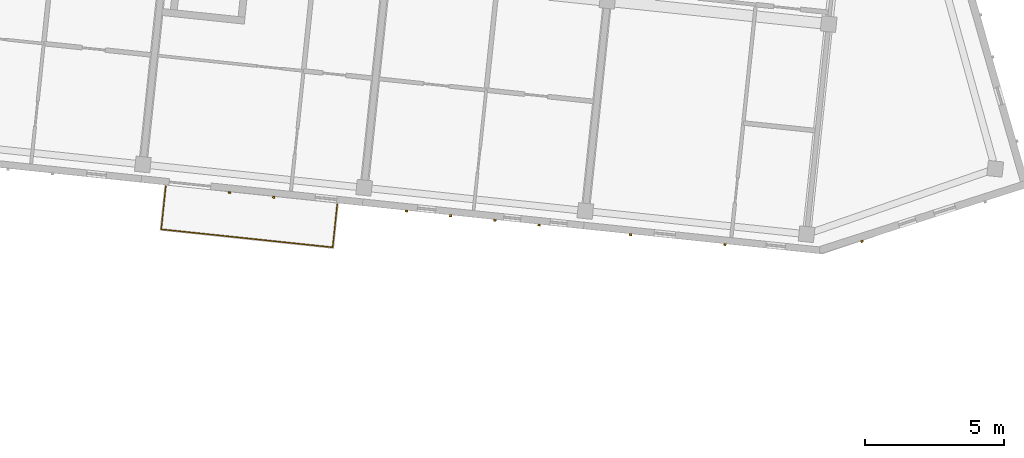
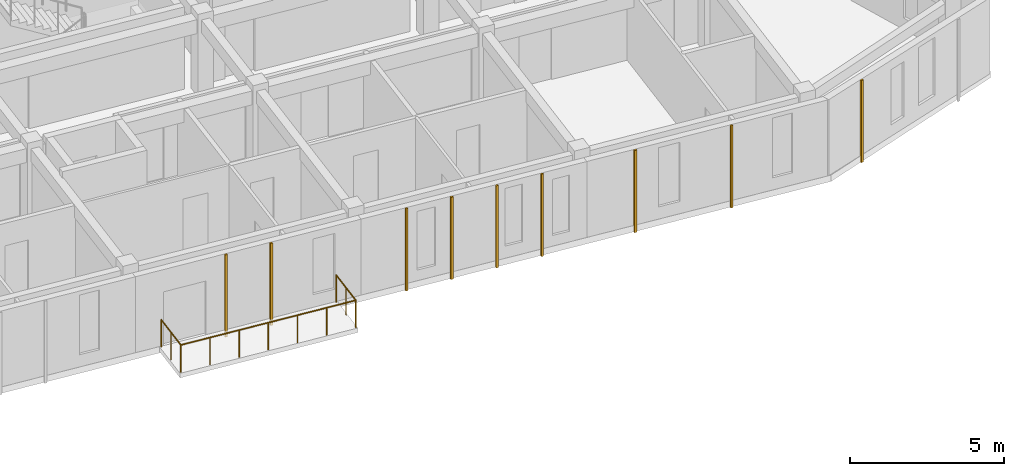
# One storey, part 65 of 68: 9 coverings, 1 railing.
"""IFC4 building model written with IfcOpenShell, lengths in metres."""

from ifc_helpers import new_model, si_unit, direction, frame, origin, origin_2d, place, context, subcontext, project, spatial, rectangle, circle, extrude, material, layer, layer_set, type_object, element, save


model = new_model("IFC4")

# Units and contexts
model_context = context("Model", 3, precision=1e-05, world=origin(), true_north=direction((0.0, 1.0)))
body_context = subcontext(model_context, "Body", "Model", "MODEL_VIEW")
ifc_project = project(units=[si_unit("LENGTHUNIT", "METRE"), si_unit("AREAUNIT", "SQUARE_METRE"), si_unit("VOLUMEUNIT", "CUBIC_METRE"), si_unit("PLANEANGLEUNIT", "RADIAN"), si_unit("MASSUNIT", "GRAM", prefix="KILO")], contexts=[model_context])

# Site, building, storey
site_placement = place(None, origin())
site = spatial("IfcSite", under=ifc_project, at=site_placement, CompositionType="ELEMENT")
building_placement = place(site_placement, origin())
building = spatial("IfcBuilding", under=site, at=building_placement, Name="Kestramere Prow Commons", CompositionType="ELEMENT")
storey_placement = place(building_placement, frame((0.0, 0.0, 18.14990234375)))
storey = spatial("IfcBuildingStorey", under=building, at=storey_placement, Name="L05", CompositionType="ELEMENT", Elevation=18.14990234375)

# Coverings
ifc_material_1 = material(Name="Weathered Zinc-Titanium Standing-Seam Cladding")
ifc_layer = layer(ifc_material_1, 0.074951171875)
ifc_layer_set = layer_set([ifc_layer], Name="Weathered Zinc-Titanium Standing-Seam Cladding")
covering_type = type_object("IfcCoveringType", Name="COV-CLAD-SEAM", PredefinedType="CLADDING", material=ifc_layer_set)
for number, where, z_axis, x_axis, name in (
    (1, (138.5712890625, 91.11572265625, -0.25), (0.0, 0.0, 1.0), (-0.994521895368, 0.104528463268, 0.0), "EW-B-L05-S-3 Standing-Seam Rib 2"),
    (2, (136.980224609375, 91.282958984375, -0.25), (0.0, 0.0, 1.0), (-0.994521895368, 0.104528463268, 0.0), "EW-B-L05-S-3 Standing-Seam Rib 3"),
    (3, (148.118896484375, 90.1123046875, -0.25), (0.0, 0.0, 1.0), (-0.994521895368, 0.104528463268, 0.0), "EW-B-L05-S-4 Standing-Seam Rib 1"),
    (4, (146.527587890625, 90.279541015625, -0.25), (0.0, 0.0, 1.0), (-0.994521895368, 0.104528463268, 0.0), "EW-B-L05-S-4 Standing-Seam Rib 2"),
    (5, (144.936279296875, 90.44677734375, -0.25), (0.0, 0.0, 1.0), (-0.994521895368, 0.104528463268, 0.0), "EW-B-L05-S-4 Standing-Seam Rib 3"),
    (6, (143.34521484375, 90.614013671875, -0.25), (0.0, 0.0, 1.0), (-0.994521895368, 0.104528463268, 0.0), "EW-B-L05-S-4 Standing-Seam Rib 4"),
    (7, (154.797119140625, 89.410400390625, -0.25), (0.0, 0.0, 1.0), (-0.994521895368, 0.104528463268, 0.0), "EW-B-L05-S-5 Standing-Seam Rib 2"),
    (8, (151.40576171875, 89.766845703125, -0.25), (0.0, 0.0, 1.0), (-0.994521895368, 0.104528463268, 0.0), "EW-B-L05-S-5 Standing-Seam Rib 4"),
    (9, (159.73046875, 89.524169921875, -0.25), (0.0, 0.0, 1.0), (-0.952283464374, -0.305215011884, 0.0), "EW-B-L05-PRW-S Standing-Seam Rib 4"),
):
    element("IfcCovering", number, at=place(storey_placement, frame(where, z_axis=z_axis, x_axis=x_axis)), inside=storey, type_object=covering_type, Name=name, PredefinedType="CLADDING", context=body_context, shape_type="SweptSolid", body=[
        extrude(rectangle(XDim=0.0849609375, YDim=0.06494140625, at=origin_2d()), origin(), (0.0, 0.0, 1.0), 3.25),
    ])

# Railing
ifc_material_2 = material(Name="Powder-Coated Aluminium 6063-T6", Category="aluminium")
railing_type = type_object("IfcRailingType", Name="GRD-BALC-1100", PredefinedType="BALUSTRADE", material=ifc_material_2)
railing_placement = place(storey_placement, frame((134.69140625, 91.510986328125, 0.0)))
element("IfcRailing", 10, at=railing_placement, inside=storey, type_object=railing_type, Name="Block B L05 Balcony Guardrail 4", PredefinedType="BALUSTRADE", context=body_context, shape_type="SweptSolid", body=[
    extrude(circle(Radius=0.02392578125, at=origin_2d()), frame((0.0, 0.0, 1.076171875), z_axis=(-0.104538150424, -0.994520877159, 0.0), x_axis=(0.994520877159, -0.104538150424, 0.0)), (0.0, 0.0, 1.0), 1.56005859375),
    extrude(circle(Radius=0.02392578125, at=origin_2d()), frame((-0.1630859375, -1.551513671875, 1.076171875), z_axis=(0.99452399338, -0.104508500096, 0.0), x_axis=(0.104508500096, 0.99452399338, 0.0)), (0.0, 0.0, 1.0), 6.199951171875),
    extrude(circle(Radius=0.02392578125, at=origin_2d()), frame((6.0029296875, -2.199462890625, 1.076171875), z_axis=(0.104538150424, 0.994520877159, 0.0), x_axis=(-0.994520877159, 0.104538150424, 0.0)), (0.0, 0.0, 1.0), 1.56005859375),
    extrude(circle(Radius=0.02099609375, at=origin_2d()), origin(), (0.0, 0.0, 1.0), 1.052001953125),
    extrude(circle(Radius=0.02099609375, at=origin_2d()), frame((-0.08154296875, -0.77587890625, 0.0)), (0.0, 0.0, 1.0), 1.052001953125),
    extrude(circle(Radius=0.02099609375, at=origin_2d()), frame((-0.1630859375, -1.551513671875, 0.0)), (0.0, 0.0, 1.0), 1.052001953125),
    extrude(circle(Radius=0.02099609375, at=origin_2d()), frame((0.864501953125, -1.659423828125, 0.0)), (0.0, 0.0, 1.0), 1.052001953125),
    extrude(circle(Radius=0.02099609375, at=origin_2d()), frame((1.892333984375, -1.767578125, 0.0)), (0.0, 0.0, 1.0), 1.052001953125),
    extrude(circle(Radius=0.02099609375, at=origin_2d()), frame((2.919921875, -1.87548828125, 0.0)), (0.0, 0.0, 1.0), 1.052001953125),
    extrude(circle(Radius=0.02099609375, at=origin_2d()), frame((3.947509765625, -1.9833984375, 0.0)), (0.0, 0.0, 1.0), 1.052001953125),
    extrude(circle(Radius=0.02099609375, at=origin_2d()), frame((4.975341796875, -2.091552734375, 0.0)), (0.0, 0.0, 1.0), 1.052001953125),
    extrude(circle(Radius=0.02099609375, at=origin_2d()), frame((6.0029296875, -2.199462890625, 0.0)), (0.0, 0.0, 1.0), 1.052001953125),
    extrude(circle(Radius=0.02099609375, at=origin_2d()), frame((6.08447265625, -1.423828125, 0.0)), (0.0, 0.0, 1.0), 1.052001953125),
    extrude(circle(Radius=0.02099609375, at=origin_2d()), frame((6.166015625, -0.64794921875, 0.0)), (0.0, 0.0, 1.0), 1.052001953125),
])

save(model, "model.ifc")
